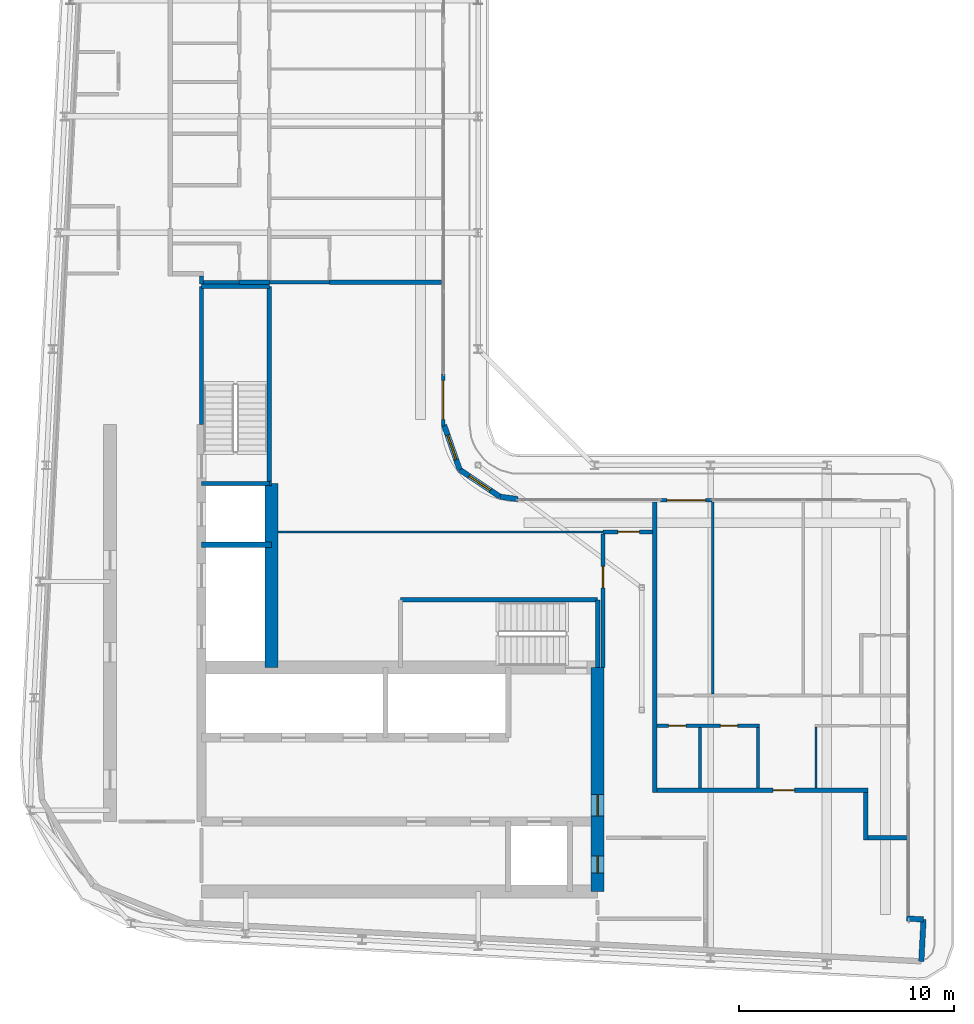
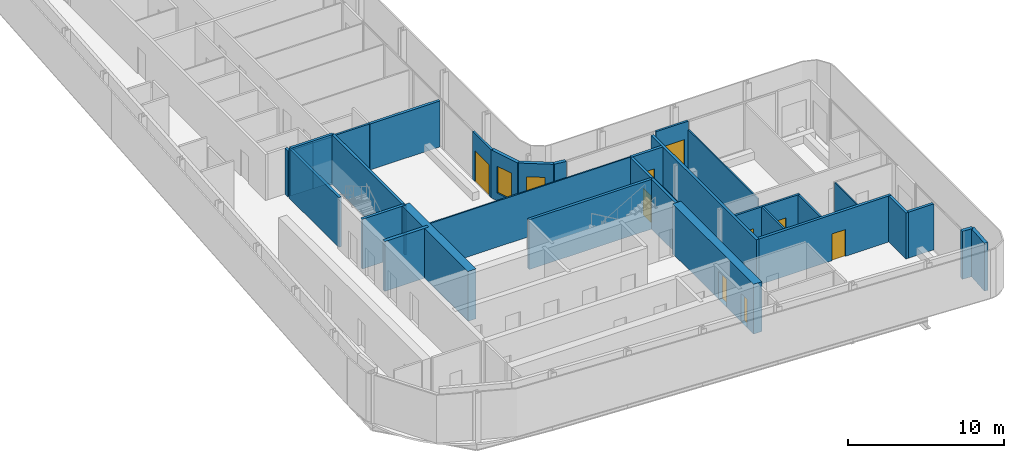
# One storey, part 12 of 21: 34 walls, 9 doors, 2 windows, 11 openings.
"""IFC4 building model written with IfcOpenShell, lengths in metres."""

from ifc_helpers import new_model, si_unit, direction, frame, frame_2d, origin, place, context, subcontext, project, spatial, rectangle, extrude, source, transform, mapped, material, layer, layer_set, type_object, element, fill, save


model = new_model("IFC4")

# Units and contexts
model_context = context("Model", 3, precision=1e-05, world=origin(), true_north=direction((0.0, 1.0)))
body_context = subcontext(model_context, "Body", "Model", "MODEL_VIEW")
ifc_project = project(units=[si_unit("LENGTHUNIT", "METRE"), si_unit("AREAUNIT", "SQUARE_METRE"), si_unit("VOLUMEUNIT", "CUBIC_METRE"), si_unit("PLANEANGLEUNIT", "RADIAN"), si_unit("MASSUNIT", "GRAM", prefix="KILO")], contexts=[model_context])

# Site, building, storey
site_placement = place(None, origin())
site = spatial("IfcSite", under=ifc_project, at=site_placement, CompositionType="ELEMENT")
building_placement = place(site_placement, origin())
building = spatial("IfcBuilding", under=site, at=building_placement, Name="Kheshtan School and Residences Tower", CompositionType="ELEMENT")
storey_placement = place(building_placement, frame((0.0, 0.0, 313.699951171875)))
storey = spatial("IfcBuildingStorey", under=building, at=storey_placement, Name="L74", CompositionType="ELEMENT", Elevation=313.699951171875)

# Wall
ifc_material_1 = material(Name="Concrete C60/75", Category="concrete")
ifc_layer_1 = layer(ifc_material_1, 0.60009765625)
ifc_layer_set_1 = layer_set([ifc_layer_1], Name="Core wall 600 Concrete C60/75")
wall_type_1 = type_object("IfcWallType", Name="Core wall 600 Concrete C60/75", PredefinedType="SHEAR", material=ifc_layer_set_1)
wall_1_placement = place(storey_placement, frame((38.0, 36.199951171875, 0.0), z_axis=(0.0, 0.0, 1.0), x_axis=(0.0, 1.0, 0.0)))
element("IfcWall", 1, at=wall_1_placement, inside=storey, type_object=wall_type_1, Name="Core wall CW-FRONT-W", PredefinedType="SHEAR", context=body_context, shape_type="SweptSolid", body=[
    extrude(rectangle(XDim=8.550048828125, YDim=0.60009765625, at=frame_2d((4.27490234375, 0.0))), origin(), (0.0, 0.0, 1.0), 3.900146484375),
])

# Wall, openings, doors
wall_2_placement = place(storey_placement, frame((53.14990234375, 25.800048828125, 0.0), z_axis=(0.0, 0.0, 1.0), x_axis=(0.0, 1.0, 0.0)))
wall_2 = element("IfcWall", 2, at=wall_2_placement, inside=storey, type_object=wall_type_1, Name="Core wall CW-EAST", PredefinedType="SHEAR", context=body_context, shape_type="SweptSolid", body=[
    extrude(rectangle(XDim=10.39990234375, YDim=0.60009765625, at=frame_2d((5.199951171875, 0.0))), origin(), (0.0, 0.0, 1.0), 3.900146484375),
])
opening_1_placement = place(wall_2_placement, frame((0.85009765625, 0.0, 0.0)))
opening_1 = element("IfcOpeningElement", 3, at=opening_1_placement, cuts=wall_2, Name="Opening SR80", PredefinedType="OPENING", context=body_context, shape_type="SweptSolid", body=[
    extrude(rectangle(XDim=0.800048828125, YDim=2.199951171875, at=frame_2d((0.39990234375, 1.10009765625))), frame((0.0, 0.31005859375, 0.0), z_axis=(0.0, -1.0, 0.0), x_axis=(1.0, 0.0, 0.0)), (0.0, 0.0, 1.0), 0.6201171875),
])
opening_2_placement = place(wall_2_placement, frame((3.5, 0.0, 0.0)))
opening_2 = element("IfcOpeningElement", 4, at=opening_2_placement, cuts=wall_2, Name="Opening SD91", PredefinedType="OPENING", context=body_context, shape_type="SweptSolid", body=[
    extrude(rectangle(XDim=1.0, YDim=2.199951171875, at=frame_2d((0.5, 1.10009765625))), frame((0.0, 0.31005859375, 0.0), z_axis=(0.0, -1.0, 0.0), x_axis=(1.0, 0.0, 0.0)), (0.0, 0.0, 1.0), 0.6201171875),
])
ifc_material_2 = material(Name="Steel door leaf, galvanised", Category="steel")
door_type_1 = type_object("IfcDoorType", Name="Service room door 800 steel 90 min", OperationType="SINGLE_SWING_LEFT", PredefinedType="DOOR", material=ifc_material_2)
shared_shape_1 = source(origin(), body_context, "Body", "SweptSolid", [
    extrude(rectangle(XDim=0.800048828125, YDim=2.199951171875, at=frame_2d((0.39990234375, 1.10009765625))), frame((0.0, 0.02490234375, 0.0), z_axis=(0.0, -1.0, 0.0), x_axis=(1.0, 0.0, 0.0)), (0.0, 0.0, 1.0), 0.050048828125),
])
door_1_placement = place(opening_1_placement, origin())
door_1 = element("IfcDoor", 5, at=door_1_placement, inside=storey, type_object=door_type_1, Name="Service room door", OperationType="SINGLE_SWING_LEFT", OverallHeight=2.199951171875, OverallWidth=0.800048828125, PredefinedType="DOOR", context=body_context, shape_type="MappedRepresentation", body=[
    mapped(shared_shape_1, transform((0.0, 0.0, 0.0), x_axis=(1.0, 0.0, 0.0), y_axis=(0.0, 1.0, 0.0), z_axis=(0.0, 0.0, 1.0), scale=1.0)),
])
fill(opening_1, door_1)
door_type_2 = type_object("IfcDoorType", Name="Firefighting lobby door 1000 steel 90 min", OperationType="SINGLE_SWING_LEFT", PredefinedType="DOOR", material=ifc_material_2)
shared_shape_2 = source(origin(), body_context, "Body", "SweptSolid", [
    extrude(rectangle(XDim=1.0, YDim=2.199951171875, at=frame_2d((0.5, 1.10009765625))), frame((0.0, 0.02490234375, 0.0), z_axis=(0.0, -1.0, 0.0), x_axis=(1.0, 0.0, 0.0)), (0.0, 0.0, 1.0), 0.050048828125),
])
door_2_placement = place(opening_2_placement, origin())
door_2 = element("IfcDoor", 6, at=door_2_placement, inside=storey, type_object=door_type_2, Name="Firefighting lobby door", OperationType="SINGLE_SWING_LEFT", OverallHeight=2.199951171875, OverallWidth=1.0, PredefinedType="DOOR", context=body_context, shape_type="MappedRepresentation", body=[
    mapped(shared_shape_2, transform((0.0, 0.0, 0.0), x_axis=(1.0, 0.0, 0.0), y_axis=(0.0, 1.0, 0.0), z_axis=(0.0, 0.0, 1.0), scale=1.0)),
])
fill(opening_2, door_2)

# Wall
ifc_material_3 = material(Name="Gypsum board on steel studs with fire boards", Category="steel")
ifc_layer_2 = layer(ifc_material_3, 0.199951171875)
ifc_layer_set_2 = layer_set([ifc_layer_2], Name="Corridor wall 200")
wall_type_2 = type_object("IfcWallType", Name="Corridor wall 200", PredefinedType="PARTITIONING", material=ifc_layer_set_2)
wall_3_placement = place(storey_placement, frame((34.75, 54.02490234375, 0.0), z_axis=(0.0, 0.0, 1.0), x_axis=(0.0, 1.0, 0.0)))
element("IfcWall", 7, at=wall_3_placement, inside=storey, type_object=wall_type_2, Name="Partition L74-018", PredefinedType="PARTITIONING", context=body_context, shape_type="SweptSolid", body=[
    extrude(rectangle(XDim=0.375, YDim=0.199951171875, at=frame_2d((0.1875, 0.0))), origin(), (0.0, 0.0, 1.0), 3.60009765625),
])

# Wall, opening, door
wall_4_placement = place(storey_placement, frame((53.39990234375, 36.198974609375, 0.0), z_axis=(0.0, 0.0, 1.0), x_axis=(0.0, 1.0, 0.0)))
wall_4 = element("IfcWall", 8, at=wall_4_placement, inside=storey, type_object=wall_type_2, Name="Partition L74-043", PredefinedType="PARTITIONING", context=body_context, shape_type="SweptSolid", body=[
    extrude(rectangle(XDim=6.200927734375, YDim=0.199951171875, at=frame_2d((3.1005859375, 0.0))), origin(), (0.0, 0.0, 1.0), 3.60009765625),
])
opening_3_placement = place(wall_4_placement, frame((3.70703125, 0.0, 0.0)))
opening_3 = element("IfcOpeningElement", 9, at=opening_3_placement, cuts=wall_4, Name="Opening D72-037", PredefinedType="OPENING", context=body_context, shape_type="SweptSolid", body=[
    extrude(rectangle(XDim=1.0, YDim=2.10009765625, at=frame_2d((0.5, 1.050048828125))), frame((0.0, 0.10986328125, 0.0), z_axis=(0.0, -1.0, 0.0), x_axis=(1.0, 0.0, 0.0)), (0.0, 0.0, 1.0), 0.219970703125),
])
ifc_material_4 = material(Name="Steel-framed fire-resisting door leaf", Category="steel")
door_type_3 = type_object("IfcDoorType", Name="Fire door FD60 1000 x 2100", OperationType="SINGLE_SWING_LEFT", PredefinedType="DOOR", material=ifc_material_4)
shared_shape_3 = source(origin(), body_context, "Body", "SweptSolid", [
    extrude(rectangle(XDim=1.0, YDim=2.10009765625, at=frame_2d((0.5, 1.050048828125))), frame((0.0, 0.02490234375, 0.0), z_axis=(0.0, -1.0, 0.0), x_axis=(1.0, 0.0, 0.0)), (0.0, 0.0, 1.0), 0.050048828125),
])
door_3_placement = place(opening_3_placement, origin())
door_3 = element("IfcDoor", 10, at=door_3_placement, inside=storey, type_object=door_type_3, Name="Door D72-037", OperationType="SINGLE_SWING_LEFT", OverallHeight=2.10009765625, OverallWidth=1.0, PredefinedType="DOOR", context=body_context, shape_type="MappedRepresentation", body=[
    mapped(shared_shape_3, transform((0.0, 0.0, 0.0), x_axis=(1.0, 0.0, 0.0), y_axis=(0.0, 1.0, 0.0), z_axis=(0.0, 0.0, 1.0), scale=1.0)),
])
fill(opening_3, door_3)

wall_5_placement = place(storey_placement, frame((53.39990234375, 42.5, 0.0), z_axis=(0.0, 0.0, 1.0), x_axis=(1.0, 0.0, 0.0)))
wall_5 = element("IfcWall", 11, at=wall_5_placement, inside=storey, type_object=wall_type_2, Name="Partition L74-044", PredefinedType="PARTITIONING", context=body_context, shape_type="SweptSolid", body=[
    extrude(rectangle(XDim=2.300048828125, YDim=0.199951171875, at=frame_2d((1.14990234375, 0.0))), origin(), (0.0, 0.0, 1.0), 3.60009765625),
])
opening_4_placement = place(wall_5_placement, frame((0.695068359375, 0.0, 0.0)))
opening_4 = element("IfcOpeningElement", 12, at=opening_4_placement, cuts=wall_5, Name="Opening D72-038", PredefinedType="OPENING", context=body_context, shape_type="SweptSolid", body=[
    extrude(rectangle(XDim=1.0, YDim=2.10009765625, at=frame_2d((0.5, 1.050048828125))), frame((0.0, 0.10986328125, 0.0), z_axis=(0.0, -1.0, 0.0), x_axis=(1.0, 0.0, 0.0)), (0.0, 0.0, 1.0), 0.219970703125),
])
door_4_placement = place(opening_4_placement, origin())
door_4 = element("IfcDoor", 13, at=door_4_placement, inside=storey, type_object=door_type_3, Name="Door D72-038", OperationType="SINGLE_SWING_RIGHT", OverallHeight=2.10009765625, OverallWidth=1.0, PredefinedType="DOOR", context=body_context, shape_type="MappedRepresentation", body=[
    mapped(shared_shape_3, transform((0.0, 0.0, 0.0), x_axis=(1.0, 0.0, 0.0), y_axis=(0.0, 1.0, 0.0), z_axis=(0.0, 0.0, 1.0), scale=1.0)),
])
fill(opening_4, door_4)

wall_6_placement = place(storey_placement, frame((55.89990234375, 30.5, 0.0), z_axis=(0.0, 0.0, 1.0), x_axis=(1.0, 0.0, 0.0)))
wall_6 = element("IfcWall", 14, at=wall_6_placement, inside=storey, type_object=wall_type_2, Name="Partition L74-046", PredefinedType="PARTITIONING", context=body_context, shape_type="SweptSolid", body=[
    extrude(rectangle(XDim=9.800048828125, YDim=0.199951171875, at=frame_2d((4.89990234375, 0.0))), origin(), (0.0, 0.0, 1.0), 3.60009765625),
])
opening_5_placement = place(wall_6_placement, frame((5.39990234375, 0.0, 0.0)))
opening_5 = element("IfcOpeningElement", 15, at=opening_5_placement, cuts=wall_6, Name="Opening D72-004", PredefinedType="OPENING", context=body_context, shape_type="SweptSolid", body=[
    extrude(rectangle(XDim=1.0, YDim=2.10009765625, at=frame_2d((0.5, 1.050048828125))), frame((0.0, 0.10986328125, 0.0), z_axis=(0.0, -1.0, 0.0), x_axis=(1.0, 0.0, 0.0)), (0.0, 0.0, 1.0), 0.219970703125),
])
door_type_4 = type_object("IfcDoorType", Name="Fire door FD30S 1000 x 2100", OperationType="SINGLE_SWING_LEFT", PredefinedType="DOOR", material=ifc_material_4)
shared_shape_4 = source(origin(), body_context, "Body", "SweptSolid", [
    extrude(rectangle(XDim=1.0, YDim=2.10009765625, at=frame_2d((0.5, 1.050048828125))), frame((0.0, 0.02490234375, 0.0), z_axis=(0.0, -1.0, 0.0), x_axis=(1.0, 0.0, 0.0)), (0.0, 0.0, 1.0), 0.050048828125),
])
door_5_placement = place(opening_5_placement, origin())
door_5 = element("IfcDoor", 16, at=door_5_placement, inside=storey, type_object=door_type_4, Name="Door D72-004", OperationType="SINGLE_SWING_LEFT", OverallHeight=2.10009765625, OverallWidth=1.0, PredefinedType="DOOR", context=body_context, shape_type="MappedRepresentation", body=[
    mapped(shared_shape_4, transform((0.0, 0.0, 0.0), x_axis=(1.0, 0.0, 0.0), y_axis=(0.0, 1.0, 0.0), z_axis=(0.0, 0.0, 1.0), scale=1.0)),
])
fill(opening_5, door_5)

# Walls
wall_7_placement = place(storey_placement, frame((65.60009765625, 28.199951171875, 0.0), z_axis=(0.0, 0.0, 1.0), x_axis=(0.0, 1.0, 0.0)))
element("IfcWall", 17, at=wall_7_placement, inside=storey, type_object=wall_type_2, Name="Partition L74-057", PredefinedType="PARTITIONING", context=body_context, shape_type="SweptSolid", body=[
    extrude(rectangle(XDim=2.199951171875, YDim=0.199951171875, at=frame_2d((1.10009765625, 0.0))), origin(), (0.0, 0.0, 1.0), 3.60009765625),
])
wall_8_placement = place(storey_placement, frame((65.699951171875, 28.300048828125, 0.0), z_axis=(0.0, 0.0, 1.0), x_axis=(1.0, 0.0, 0.0)))
element("IfcWall", 18, at=wall_8_placement, inside=storey, type_object=wall_type_2, Name="Partition L74-058", PredefinedType="PARTITIONING", context=body_context, shape_type="SweptSolid", body=[
    extrude(rectangle(XDim=1.8701171875, YDim=0.199951171875, at=frame_2d((0.93505859375, 0.0))), origin(), (0.0, 0.0, 1.0), 3.60009765625),
])

# Wall, opening, window
ifc_material_5 = material(Name="Concrete C40/50 with ceramic cladding and mineral wool insulation", Category="concrete")
ifc_layer_3 = layer(ifc_material_5, 0.25)
ifc_layer_set_3 = layer_set([ifc_layer_3], Name="External wall 250 ceramic clad")
wall_type_3 = type_object("IfcWallType", Name="External wall 250 ceramic clad", PredefinedType="SOLIDWALL", material=ifc_layer_set_3)
wall_9_placement = place(storey_placement, frame((46.01806640625, 47.470947265625, 0.0), z_axis=(0.0, 0.0, 1.0), x_axis=(0.328791208903, -0.944402637093, 0.0)))
wall_9 = element("IfcWall", 19, at=wall_9_placement, inside=storey, type_object=wall_type_3, Name="External wall L74 9", PredefinedType="SOLIDWALL", context=body_context, shape_type="SweptSolid", body=[
    extrude(rectangle(XDim=2.20458984375, YDim=0.25, at=frame_2d((1.102294921875, 0.0))), origin(), (0.0, 0.0, 1.0), 3.75),
])
opening_6_placement = place(wall_9_placement, frame((0.5029296875, 0.0, 0.60009765625)))
opening_6 = element("IfcOpeningElement", 20, at=opening_6_placement, cuts=wall_9, Name="Opening WN-E", PredefinedType="OPENING", context=body_context, shape_type="SweptSolid", body=[
    extrude(rectangle(XDim=1.199951171875, YDim=2.10009765625, at=frame_2d((0.60009765625, 1.050048828125))), frame((0.0, 0.135009765625, 0.0), z_axis=(0.0, -1.0, 0.0), x_axis=(1.0, 0.0, 0.0)), (0.0, 0.0, 1.0), 0.27001953125),
])
ifc_material_6 = material(Name="Clear low-e glass in thermally broken aluminium frame", Category="aluminium")
window_type = type_object("IfcWindowType", Name="Window WN-E", PartitioningType="SINGLE_PANEL", PredefinedType="WINDOW", material=ifc_material_6)
shared_shape_5 = source(origin(), body_context, "Body", "SweptSolid", [
    extrude(rectangle(XDim=1.199951171875, YDim=2.10009765625, at=frame_2d((0.60009765625, 1.050048828125))), frame((0.0, 0.030029296875, 0.0), z_axis=(0.0, -1.0, 0.0), x_axis=(1.0, 0.0, 0.0)), (0.0, 0.0, 1.0), 0.06005859375),
])
window_1_placement = place(opening_6_placement, origin())
window_1 = element("IfcWindow", 21, at=window_1_placement, inside=storey, type_object=window_type, Name="Window L74 9", OverallHeight=2.10009765625, OverallWidth=1.199951171875, PartitioningType="SINGLE_PANEL", PredefinedType="WINDOW", context=body_context, shape_type="MappedRepresentation", body=[
    mapped(shared_shape_5, transform((0.0, 0.0, 0.0), x_axis=(1.0, 0.0, 0.0), y_axis=(0.0, 1.0, 0.0), z_axis=(0.0, 0.0, 1.0), scale=1.0)),
])
fill(opening_6, window_1)

wall_10_placement = place(storey_placement, frame((46.742919921875, 45.388916015625, 0.0), z_axis=(0.0, 0.0, 1.0), x_axis=(0.831449265529, -0.555600682912, 0.0)))
wall_10 = element("IfcWall", 22, at=wall_10_placement, inside=storey, type_object=wall_type_3, Name="External wall L74 10", PredefinedType="SOLIDWALL", context=body_context, shape_type="SweptSolid", body=[
    extrude(rectangle(XDim=2.25146484375, YDim=0.25, at=frame_2d((1.125732421875, 0.0))), origin(), (0.0, 0.0, 1.0), 3.75),
])
opening_7_placement = place(wall_10_placement, frame((0.52490234375, 0.0, 0.60009765625)))
opening_7 = element("IfcOpeningElement", 23, at=opening_7_placement, cuts=wall_10, Name="Opening WN-E", PredefinedType="OPENING", context=body_context, shape_type="SweptSolid", body=[
    extrude(rectangle(XDim=1.199951171875, YDim=2.10009765625, at=frame_2d((0.60009765625, 1.050048828125))), frame((0.0, 0.135009765625, 0.0), z_axis=(0.0, -1.0, 0.0), x_axis=(1.0, 0.0, 0.0)), (0.0, 0.0, 1.0), 0.27001953125),
])
window_2_placement = place(opening_7_placement, origin())
window_2 = element("IfcWindow", 24, at=window_2_placement, inside=storey, type_object=window_type, Name="Window L74 10", OverallHeight=2.10009765625, OverallWidth=1.199951171875, PartitioningType="SINGLE_PANEL", PredefinedType="WINDOW", context=body_context, shape_type="MappedRepresentation", body=[
    mapped(shared_shape_5, transform((0.0, 0.0, 0.0), x_axis=(1.0, 0.0, 0.0), y_axis=(0.0, 1.0, 0.0), z_axis=(0.0, 0.0, 1.0), scale=1.0)),
])
fill(opening_7, window_2)

# Walls
wall_11_placement = place(storey_placement, frame((48.614990234375, 44.137939453125, 0.0), z_axis=(0.0, 0.0, 1.0), x_axis=(0.990741504246, -0.135761819977, 0.0)))
element("IfcWall", 25, at=wall_11_placement, inside=storey, type_object=wall_type_3, Name="External wall L74 11", PredefinedType="SOLIDWALL", context=body_context, shape_type="SweptSolid", body=[
    extrude(rectangle(XDim=0.83984375, YDim=0.25, at=frame_2d((0.419921875, 0.0))), origin(), (0.0, 0.0, 1.0), 3.75),
])
wall_12_placement = place(storey_placement, frame((67.507080078125, 24.5439453125, 0.0), z_axis=(0.0, 0.0, 1.0), x_axis=(0.998561284263, -0.053622398031, 0.0)))
element("IfcWall", 26, at=wall_12_placement, inside=storey, type_object=wall_type_3, Name="External wall L74 14", PredefinedType="SOLIDWALL", context=body_context, shape_type="SweptSolid", body=[
    extrude(rectangle(XDim=0.783203125, YDim=0.25, at=frame_2d((0.3916015625, 0.0))), origin(), (0.0, 0.0, 1.0), 3.75),
])
wall_13_placement = place(storey_placement, frame((68.2890625, 24.501953125, 0.0), z_axis=(0.0, 0.0, 1.0), x_axis=(-0.052841433274, -0.998602915542, 0.0)))
element("IfcWall", 27, at=wall_13_placement, inside=storey, type_object=wall_type_3, Name="External wall L74 15", PredefinedType="SOLIDWALL", context=body_context, shape_type="SweptSolid", body=[
    extrude(rectangle(XDim=1.94970703125, YDim=0.25, at=frame_2d((0.974853515625, 0.0))), origin(), (0.0, 0.0, 1.0), 3.75),
])

# Wall, opening, door
ifc_material_7 = material(Name="Aluminium frame wall with insulated infill", Category="aluminium")
ifc_layer_4 = layer(ifc_material_7, 0.14990234375)
ifc_layer_set_4 = layer_set([ifc_layer_4], Name="Glazing frame wall 150")
wall_type_4 = type_object("IfcWallType", Name="Glazing frame wall 150", PredefinedType="SOLIDWALL", material=ifc_layer_set_4)
wall_14_placement = place(storey_placement, frame((45.97509765625, 49.830078125, 0.0), z_axis=(0.0, 0.0, 1.0), x_axis=(0.0, -1.0, 0.0)))
wall_14 = element("IfcWall", 28, at=wall_14_placement, inside=storey, type_object=wall_type_4, Name="Balcony door wall L74 8.5", PredefinedType="SOLIDWALL", context=body_context, shape_type="SweptSolid", body=[
    extrude(rectangle(XDim=2.400146484375, YDim=0.14990234375, at=frame_2d((1.2001953125, 0.0))), origin(), (0.0, 0.0, 1.0), 3.75),
])
opening_8_placement = place(wall_14_placement, frame((0.300048828125, 0.0, 0.0)))
opening_8 = element("IfcOpeningElement", 29, at=opening_8_placement, cuts=wall_14, Name="Opening BD", PredefinedType="OPENING", context=body_context, shape_type="SweptSolid", body=[
    extrude(rectangle(XDim=1.800048828125, YDim=2.39990234375, at=frame_2d((0.89990234375, 1.199951171875))), frame((0.0, 0.0849609375, 0.0), z_axis=(0.0, -1.0, 0.0), x_axis=(1.0, 0.0, 0.0)), (0.0, 0.0, 1.0), 0.169921875),
])
door_type_5 = type_object("IfcDoorType", Name="Balcony sliding door", OperationType="SLIDING_TO_LEFT", PredefinedType="DOOR", material=ifc_material_6)
shared_shape_6 = source(origin(), body_context, "Body", "SweptSolid", [
    extrude(rectangle(XDim=1.800048828125, YDim=2.39990234375, at=frame_2d((0.89990234375, 1.199951171875))), frame((0.0, 0.02490234375, 0.0), z_axis=(0.0, -1.0, 0.0), x_axis=(1.0, 0.0, 0.0)), (0.0, 0.0, 1.0), 0.050048828125),
])
door_6_placement = place(opening_8_placement, origin())
door_6 = element("IfcDoor", 30, at=door_6_placement, inside=storey, type_object=door_type_5, Name="Balcony door L74 8.5", OperationType="SLIDING_TO_LEFT", OverallHeight=2.39990234375, OverallWidth=1.800048828125, PredefinedType="DOOR", context=body_context, shape_type="MappedRepresentation", body=[
    mapped(shared_shape_6, transform((0.0, 0.0, 0.0), x_axis=(1.0, 0.0, 0.0), y_axis=(0.0, 1.0, 0.0), z_axis=(0.0, 0.0, 1.0), scale=1.0)),
])
fill(opening_8, door_6)

wall_15_placement = place(storey_placement, frame((56.06494140625, 43.97509765625, 0.0), z_axis=(0.0, 0.0, 1.0), x_axis=(1.0, 0.0, 0.0)))
wall_15 = element("IfcWall", 31, at=wall_15_placement, inside=storey, type_object=wall_type_4, Name="Balcony door wall L74 12.1", PredefinedType="SOLIDWALL", context=body_context, shape_type="SweptSolid", body=[
    extrude(rectangle(XDim=2.400146484375, YDim=0.14990234375, at=frame_2d((1.2001953125, 0.0))), origin(), (0.0, 0.0, 1.0), 3.75),
])
opening_9_placement = place(wall_15_placement, frame((0.300048828125, 0.0, 0.0)))
opening_9 = element("IfcOpeningElement", 32, at=opening_9_placement, cuts=wall_15, Name="Opening BD", PredefinedType="OPENING", context=body_context, shape_type="SweptSolid", body=[
    extrude(rectangle(XDim=1.800048828125, YDim=2.39990234375, at=frame_2d((0.89990234375, 1.199951171875))), frame((0.0, 0.0849609375, 0.0), z_axis=(0.0, -1.0, 0.0), x_axis=(1.0, 0.0, 0.0)), (0.0, 0.0, 1.0), 0.169921875),
])
door_7_placement = place(opening_9_placement, origin())
door_7 = element("IfcDoor", 33, at=door_7_placement, inside=storey, type_object=door_type_5, Name="Balcony door L74 12.1", OperationType="SLIDING_TO_LEFT", OverallHeight=2.39990234375, OverallWidth=1.800048828125, PredefinedType="DOOR", context=body_context, shape_type="MappedRepresentation", body=[
    mapped(shared_shape_6, transform((0.0, 0.0, 0.0), x_axis=(1.0, 0.0, 0.0), y_axis=(0.0, 1.0, 0.0), z_axis=(0.0, 0.0, 1.0), scale=1.0)),
])
fill(opening_9, door_7)

# Walls
ifc_material_8 = material(Name="Gypsum board on steel studs", Category="steel")
ifc_layer_5 = layer(ifc_material_8, 0.10009765625)
ifc_layer_set_5 = layer_set([ifc_layer_5], Name="Gypsum partition 100")
wall_type_5 = type_object("IfcWallType", Name="Gypsum partition 100", PredefinedType="PARTITIONING", material=ifc_layer_set_5)
wall_16_placement = place(storey_placement, frame((38.299072265625, 42.5, 0.0), z_axis=(0.0, 0.0, 1.0), x_axis=(1.0, 0.0, 0.0)))
element("IfcWall", 34, at=wall_16_placement, inside=storey, type_object=wall_type_5, Name="Partition L74-040", PredefinedType="PARTITIONING", context=body_context, shape_type="SweptSolid", body=[
    extrude(rectangle(XDim=15.100830078125, YDim=0.10009765625, at=frame_2d((7.55029296875, 0.0))), origin(), (0.0, 0.0, 1.0), 3.60009765625),
])
wall_17_placement = place(storey_placement, frame((58.5, 34.97509765625, 0.0), z_axis=(0.0, 0.0, 1.0), x_axis=(0.0, 1.0, 0.0)))
element("IfcWall", 35, at=wall_17_placement, inside=storey, type_object=wall_type_5, Name="Partition L74-050", PredefinedType="PARTITIONING", context=body_context, shape_type="SweptSolid", body=[
    extrude(rectangle(XDim=8.9248046875, YDim=0.10009765625, at=frame_2d((4.46240234375, 0.0))), origin(), (0.0, 0.0, 1.0), 3.072021484375),
])
wall_18_placement = place(storey_placement, frame((63.300048828125, 30.60009765625, 0.0), z_axis=(0.0, 0.0, 1.0), x_axis=(0.0, 1.0, 0.0)))
element("IfcWall", 36, at=wall_18_placement, inside=storey, type_object=wall_type_5, Name="Partition L74-054", PredefinedType="PARTITIONING", context=body_context, shape_type="SweptSolid", body=[
    extrude(rectangle(XDim=2.849853515625, YDim=0.10009765625, at=frame_2d((1.4248046875, 0.0))), origin(), (0.0, 0.0, 1.0), 3.60009765625),
])
ifc_material_9 = material(Name="Fire-board shaft wall system")
ifc_layer_6 = layer(ifc_material_9, 0.25)
ifc_layer_set_6 = layer_set([ifc_layer_6], Name="Shaft lining wall 250")
wall_type_6 = type_object("IfcWallType", Name="Shaft lining wall 250", PredefinedType="PARTITIONING", material=ifc_layer_set_6)
wall_19_placement = place(storey_placement, frame((34.75, 41.89990234375, 0.0), z_axis=(0.0, 0.0, 1.0), x_axis=(1.0, 0.0, 0.0)))
element("IfcWall", 37, at=wall_19_placement, inside=storey, type_object=wall_type_6, Name="Shaft lining wall", PredefinedType="PARTITIONING", context=body_context, shape_type="SweptSolid", body=[
    extrude(rectangle(XDim=3.25, YDim=0.25, at=frame_2d((1.625, 0.0))), origin(), (0.0, 0.0, 1.0), 3.900146484375),
])
wall_20_placement = place(storey_placement, frame((37.89990234375, 44.75, 0.0), z_axis=(0.0, 0.0, 1.0), x_axis=(1.0, 0.0, 0.0)))
element("IfcWall", 38, at=wall_20_placement, inside=storey, type_object=wall_type_6, Name="Shaft lining wall", PredefinedType="PARTITIONING", context=body_context, shape_type="SweptSolid", body=[
    extrude(rectangle(XDim=0.10009765625, YDim=0.25, at=frame_2d((0.050048828125, 0.0))), origin(), (0.0, 0.0, 1.0), 3.900146484375),
])
ifc_material_10 = material(Name="Concrete C40/50", Category="concrete")
ifc_layer_7 = layer(ifc_material_10, 0.199951171875)
ifc_layer_set_7 = layer_set([ifc_layer_7], Name="Stair enclosure wall 200 Concrete C40/50")
wall_type_7 = type_object("IfcWallType", Name="Stair enclosure wall 200 Concrete C40/50", PredefinedType="SHEAR", material=ifc_layer_set_7)
wall_21_placement = place(storey_placement, frame((43.989990234375, 39.35009765625, 0.0), z_axis=(0.0, 0.0, 1.0), x_axis=(1.0, 0.0, 0.0)))
element("IfcWall", 39, at=wall_21_placement, inside=storey, type_object=wall_type_7, Name="Stair enclosure wall ST1", PredefinedType="SHEAR", context=body_context, shape_type="SweptSolid", body=[
    extrude(rectangle(XDim=9.159912109375, YDim=0.199951171875, at=frame_2d((4.580078125, 0.0))), origin(), (0.0, 0.0, 1.0), 3.900146484375),
])
wall_22_placement = place(storey_placement, frame((53.14990234375, 36.199951171875, 0.0), z_axis=(0.0, 0.0, 1.0), x_axis=(0.0, 1.0, 0.0)))
element("IfcWall", 40, at=wall_22_placement, inside=storey, type_object=wall_type_7, Name="Stair enclosure wall ST1", PredefinedType="SHEAR", context=body_context, shape_type="SweptSolid", body=[
    extrude(rectangle(XDim=3.150146484375, YDim=0.199951171875, at=frame_2d((1.5751953125, 0.0))), origin(), (0.0, 0.0, 1.0), 3.900146484375),
])
for number, where, z_axis, x_axis, name in (
    (41, (34.75, 44.75, 0.0), (0.0, 0.0, 1.0), (1.0, 0.0, 0.0), "Stair enclosure wall ST2"),
    (42, (34.75, 53.909912109375, 0.0), (0.0, 0.0, 1.0), (1.0, 0.0, 0.0), "Stair enclosure wall ST2"),
):
    element("IfcWall", number, at=place(storey_placement, frame(where, z_axis=z_axis, x_axis=x_axis)), inside=storey, type_object=wall_type_7, Name=name, PredefinedType="SHEAR", context=body_context, shape_type="SweptSolid", body=[
        extrude(rectangle(XDim=3.14990234375, YDim=0.199951171875, at=frame_2d((1.574951171875, 0.0))), origin(), (0.0, 0.0, 1.0), 3.900146484375),
    ])
wall_23_placement = place(storey_placement, frame((34.75, 47.5, 0.0), z_axis=(0.0, 0.0, 1.0), x_axis=(0.0, 1.0, 0.0)))
element("IfcWall", 43, at=wall_23_placement, inside=storey, type_object=wall_type_7, Name="Stair enclosure wall ST2", PredefinedType="SHEAR", context=body_context, shape_type="SweptSolid", body=[
    extrude(rectangle(XDim=6.409912109375, YDim=0.199951171875, at=frame_2d((3.205078125, 0.0))), origin(), (0.0, 0.0, 1.0), 3.900146484375),
])
wall_24_placement = place(storey_placement, frame((37.89990234375, 44.75, 0.0), z_axis=(0.0, 0.0, 1.0), x_axis=(0.0, 1.0, 0.0)))
element("IfcWall", 44, at=wall_24_placement, inside=storey, type_object=wall_type_7, Name="Stair enclosure wall ST2", PredefinedType="SHEAR", context=body_context, shape_type="SweptSolid", body=[
    extrude(rectangle(XDim=9.159912109375, YDim=0.199951171875, at=frame_2d((4.580078125, 0.0))), origin(), (0.0, 0.0, 1.0), 3.900146484375),
])
ifc_material_11 = material(Name="Twin gypsum board on steel studs with mineral wool", Category="steel")
ifc_layer_8 = layer(ifc_material_11, 0.199951171875)
ifc_layer_set_8 = layer_set([ifc_layer_8], Name="Unit demising wall 200")
wall_type_8 = type_object("IfcWallType", Name="Unit demising wall 200", PredefinedType="PARTITIONING", material=ifc_layer_set_8)
wall_25_placement = place(storey_placement, frame((36.5, 54.10009765625, 0.0), z_axis=(0.0, 0.0, 1.0), x_axis=(1.0, 0.0, 0.0)))
element("IfcWall", 45, at=wall_25_placement, inside=storey, type_object=wall_type_8, Name="Partition L74-020", PredefinedType="PARTITIONING", context=body_context, shape_type="SweptSolid", body=[
    extrude(rectangle(XDim=1.39990234375, YDim=0.199951171875, at=frame_2d((0.699951171875, 0.0))), origin(), (0.0, 0.0, 1.0), 3.60009765625),
])
wall_26_placement = place(storey_placement, frame((40.699951171875, 54.10009765625, 0.0), z_axis=(0.0, 0.0, 1.0), x_axis=(1.0, 0.0, 0.0)))
element("IfcWall", 46, at=wall_26_placement, inside=storey, type_object=wall_type_8, Name="Partition L74-041", PredefinedType="PARTITIONING", context=body_context, shape_type="SweptSolid", body=[
    extrude(rectangle(XDim=5.199951171875, YDim=0.199951171875, at=frame_2d((2.60009765625, 0.0))), origin(), (0.0, 0.0, 1.0), 3.60009765625),
])
wall_27_placement = place(storey_placement, frame((55.800048828125, 30.39990234375, 0.0), z_axis=(0.0, 0.0, 1.0), x_axis=(0.0, 1.0, 0.0)))
element("IfcWall", 47, at=wall_27_placement, inside=storey, type_object=wall_type_8, Name="Partition L74-045", PredefinedType="PARTITIONING", context=body_context, shape_type="SweptSolid", body=[
    extrude(rectangle(XDim=13.5, YDim=0.199951171875, at=frame_2d((6.75, 0.0))), origin(), (0.0, 0.0, 1.0), 3.60009765625),
])
ifc_material_12 = material(Name="Moisture-resistant gypsum board on steel studs", Category="steel")
ifc_layer_9 = layer(ifc_material_12, 0.14990234375)
ifc_layer_set_9 = layer_set([ifc_layer_9], Name="Wet-room partition 150")
wall_type_9 = type_object("IfcWallType", Name="Wet-room partition 150", PredefinedType="PARTITIONING", material=ifc_layer_set_9)
wall_28_placement = place(storey_placement, frame((34.85009765625, 54.10009765625, 0.0), z_axis=(0.0, 0.0, 1.0), x_axis=(1.0, 0.0, 0.0)))
element("IfcWall", 48, at=wall_28_placement, inside=storey, type_object=wall_type_9, Name="Partition L74-019", PredefinedType="PARTITIONING", context=body_context, shape_type="SweptSolid", body=[
    extrude(rectangle(XDim=1.64990234375, YDim=0.14990234375, at=frame_2d((0.824951171875, 0.0))), origin(), (0.0, 0.0, 1.0), 3.60009765625),
])
wall_29_placement = place(storey_placement, frame((37.89990234375, 54.10009765625, 0.0), z_axis=(0.0, 0.0, 1.0), x_axis=(1.0, 0.0, 0.0)))
element("IfcWall", 49, at=wall_29_placement, inside=storey, type_object=wall_type_9, Name="Partition L74-029", PredefinedType="PARTITIONING", context=body_context, shape_type="SweptSolid", body=[
    extrude(rectangle(XDim=2.800048828125, YDim=0.14990234375, at=frame_2d((1.39990234375, 0.0))), origin(), (0.0, 0.0, 1.0), 3.60009765625),
])

# Wall, openings, doors
wall_30_placement = place(storey_placement, frame((55.89990234375, 33.5, 0.0), z_axis=(0.0, 0.0, 1.0), x_axis=(1.0, 0.0, 0.0)))
wall_30 = element("IfcWall", 50, at=wall_30_placement, inside=storey, type_object=wall_type_9, Name="Partition L74-047", PredefinedType="PARTITIONING", context=body_context, shape_type="SweptSolid", body=[
    extrude(rectangle(XDim=4.775146484375, YDim=0.14990234375, at=frame_2d((2.3876953125, 0.0))), origin(), (0.0, 0.0, 1.0), 3.60009765625),
])
opening_10_placement = place(wall_30_placement, frame((2.949951171875, 0.0, 0.0)))
opening_10 = element("IfcOpeningElement", 51, at=opening_10_placement, cuts=wall_30, Name="Opening D72-001", PredefinedType="OPENING", context=body_context, shape_type="SweptSolid", body=[
    extrude(rectangle(XDim=0.800048828125, YDim=2.10009765625, at=frame_2d((0.39990234375, 1.050048828125))), frame((0.0, 0.0849609375, 0.0), z_axis=(0.0, -1.0, 0.0), x_axis=(1.0, 0.0, 0.0)), (0.0, 0.0, 1.0), 0.169921875),
])
opening_11_placement = place(wall_30_placement, frame((0.550048828125, 0.0, 0.0)))
opening_11 = element("IfcOpeningElement", 52, at=opening_11_placement, cuts=wall_30, Name="Opening D72-008", PredefinedType="OPENING", context=body_context, shape_type="SweptSolid", body=[
    extrude(rectangle(XDim=0.800048828125, YDim=2.10009765625, at=frame_2d((0.39990234375, 1.050048828125))), frame((0.0, 0.0849609375, 0.0), z_axis=(0.0, -1.0, 0.0), x_axis=(1.0, 0.0, 0.0)), (0.0, 0.0, 1.0), 0.169921875),
])
ifc_material_13 = material(Name="Veneered timber door leaf", Category="wood")
door_type_6 = type_object("IfcDoorType", Name="Door 800 x 2100", OperationType="SINGLE_SWING_LEFT", PredefinedType="DOOR", material=ifc_material_13)
shared_shape_7 = source(origin(), body_context, "Body", "SweptSolid", [
    extrude(rectangle(XDim=0.800048828125, YDim=2.10009765625, at=frame_2d((0.39990234375, 1.050048828125))), frame((0.0, 0.02490234375, 0.0), z_axis=(0.0, -1.0, 0.0), x_axis=(1.0, 0.0, 0.0)), (0.0, 0.0, 1.0), 0.050048828125),
])
door_8_placement = place(opening_10_placement, origin())
door_8 = element("IfcDoor", 53, at=door_8_placement, inside=storey, type_object=door_type_6, Name="Door D72-001", OperationType="SINGLE_SWING_LEFT", OverallHeight=2.10009765625, OverallWidth=0.800048828125, PredefinedType="DOOR", context=body_context, shape_type="MappedRepresentation", body=[
    mapped(shared_shape_7, transform((0.0, 0.0, 0.0), x_axis=(1.0, 0.0, 0.0), y_axis=(0.0, 1.0, 0.0), z_axis=(0.0, 0.0, 1.0), scale=1.0)),
])
fill(opening_10, door_8)
door_9_placement = place(opening_11_placement, origin())
door_9 = element("IfcDoor", 54, at=door_9_placement, inside=storey, type_object=door_type_6, Name="Door D72-008", OperationType="SINGLE_SWING_LEFT", OverallHeight=2.10009765625, OverallWidth=0.800048828125, PredefinedType="DOOR", context=body_context, shape_type="MappedRepresentation", body=[
    mapped(shared_shape_7, transform((0.0, 0.0, 0.0), x_axis=(1.0, 0.0, 0.0), y_axis=(0.0, 1.0, 0.0), z_axis=(0.0, 0.0, 1.0), scale=1.0)),
])
fill(opening_11, door_9)

# Walls
for number, where, z_axis, x_axis, name in (
    (55, (57.89990234375, 30.60009765625, 0.0), (0.0, 0.0, 1.0), (0.0, 1.0, 0.0), "Partition L74-049"),
    (56, (60.60009765625, 30.60009765625, 0.0), (0.0, 0.0, 1.0), (0.0, 1.0, 0.0), "Partition L74-051"),
):
    element("IfcWall", number, at=place(storey_placement, frame(where, z_axis=z_axis, x_axis=x_axis)), inside=storey, type_object=wall_type_9, Name=name, PredefinedType="PARTITIONING", context=body_context, shape_type="SweptSolid", body=[
        extrude(rectangle(XDim=2.824951171875, YDim=0.14990234375, at=frame_2d((1.41259765625, 0.0))), origin(), (0.0, 0.0, 1.0), 3.60009765625),
    ])

save(model, "model.ifc")
